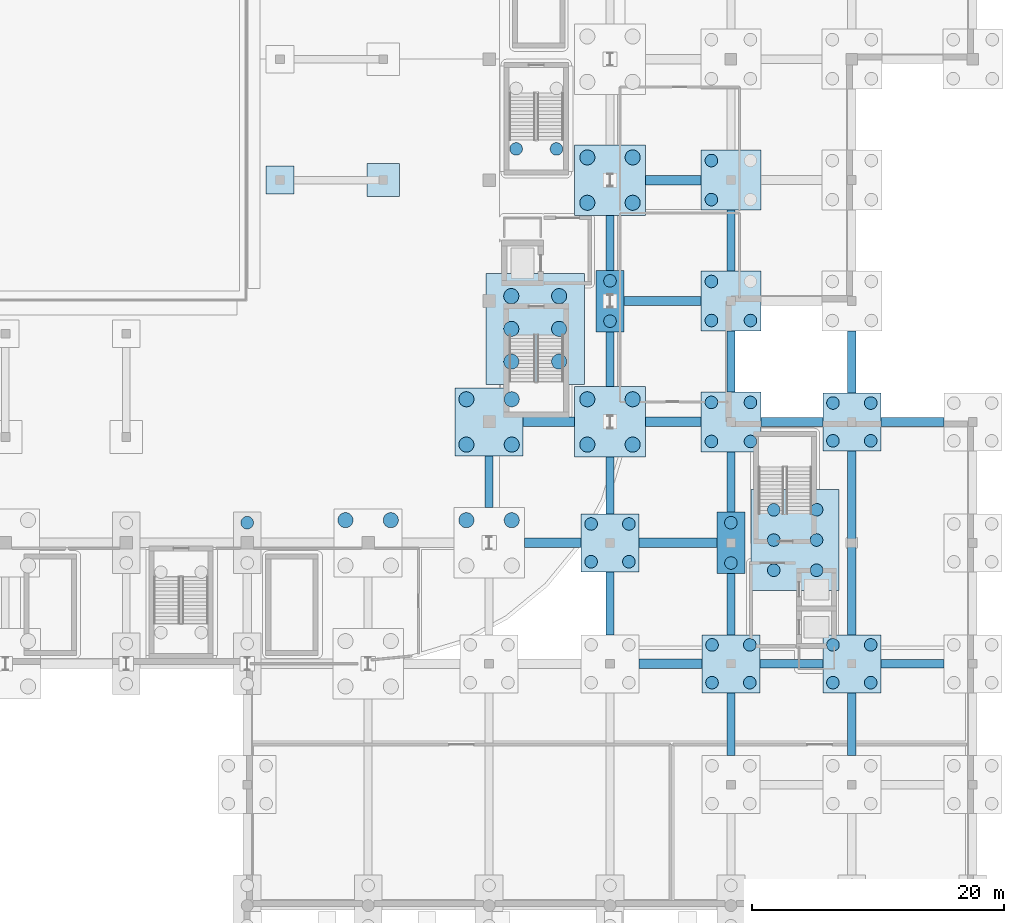
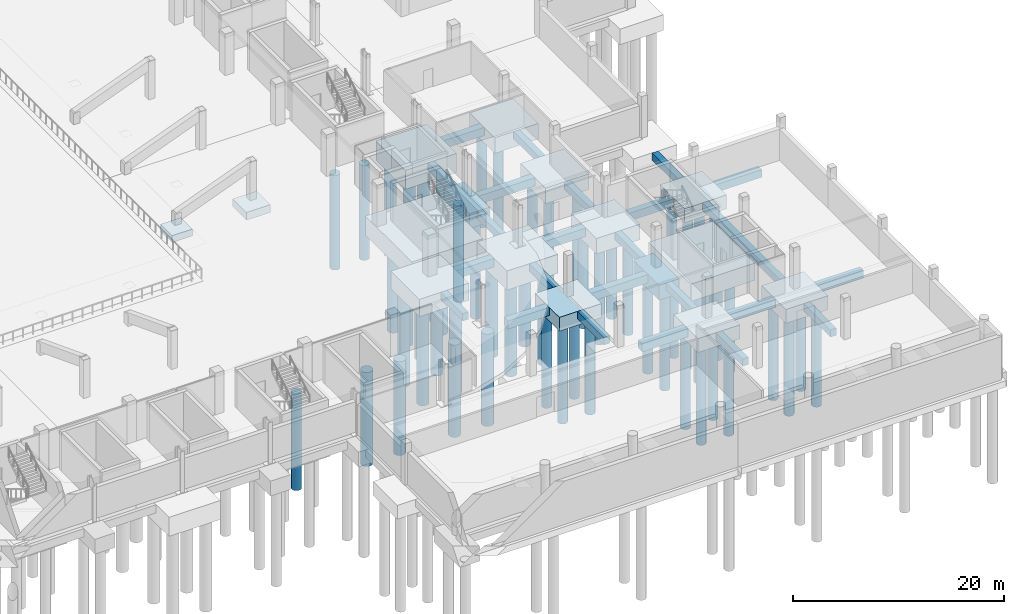
# One storey, part 7 of 67: 60 piles, 40 footings.
"""IFC4 building model written with IfcOpenShell, lengths in metres."""

from ifc_helpers import new_model, si_unit, direction, frame, origin, origin_2d, place, context, subcontext, project, spatial, polyline, rectangle, circle, outline, extrude, material, material_profile, profile_set, type_object, element, save


model = new_model("IFC4")

# Units and contexts
model_context = context("Model", 3, precision=1e-05, world=origin(), true_north=direction((0.0, 1.0)))
body_context = subcontext(model_context, "Body", "Model", "MODEL_VIEW")
ifc_project = project(units=[si_unit("LENGTHUNIT", "METRE"), si_unit("AREAUNIT", "SQUARE_METRE"), si_unit("VOLUMEUNIT", "CUBIC_METRE"), si_unit("PLANEANGLEUNIT", "RADIAN"), si_unit("MASSUNIT", "GRAM", prefix="KILO")], contexts=[model_context])

# Site, building, storey
site_placement = place(None, origin())
site = spatial("IfcSite", under=ifc_project, at=site_placement, CompositionType="ELEMENT")
building_placement = place(site_placement, origin())
building = spatial("IfcBuilding", under=site, at=building_placement, Name="Caelomonte Colonnade Arena", CompositionType="ELEMENT")
storey_placement = place(building_placement, frame((0.0, 0.0, -4.800048828125)))
storey = spatial("IfcBuildingStorey", under=building, at=storey_placement, Name="B1", CompositionType="ELEMENT", Elevation=-4.800048828125)

# Footings
ifc_material = material(Name="Concrete C40/50", Category="concrete")
footing_type_1 = type_object("IfcFootingType", Name="STR-FB-GB01", PredefinedType="FOOTING_BEAM", material=ifc_material)
footing_1_placement = place(storey_placement, frame((0.0, 0.0, -1.39990234375)))
element("IfcFooting", 1, at=footing_1_placement, inside=storey, type_object=footing_type_1, Name="Ground tie beam X (163.2..172.8, Y=19.2)", PredefinedType="FOOTING_BEAM", context=body_context, shape_type="SweptSolid", body=[
    extrude(outline(polyline([(165.5, 18.824951171875), (170.5, 18.824951171875), (170.5, 19.574951171875), (165.5, 19.574951171875), (165.5, 18.824951171875)])), origin(), (0.0, 0.0, 1.0), 0.949951171875),
])
footing_2_placement = place(storey_placement, frame((0.0, 0.0, -1.39990234375)))
element("IfcFooting", 2, at=footing_2_placement, inside=storey, type_object=footing_type_1, Name="Ground tie beam X (153.6..163.2, Y=28.8)", PredefinedType="FOOTING_BEAM", context=body_context, shape_type="SweptSolid", body=[
    extrude(outline(polyline([(156.39990234375, 28.425048828125), (160.89990234375, 28.425048828125), (160.89990234375, 29.175048828125), (156.39990234375, 29.175048828125), (156.39990234375, 28.425048828125)])), origin(), (0.0, 0.0, 1.0), 0.949951171875),
])
footing_3_placement = place(storey_placement, frame((0.0, 0.0, -1.39990234375)))
element("IfcFooting", 3, at=footing_3_placement, inside=storey, type_object=footing_type_1, Name="Ground tie beam X (163.2..172.8, Y=28.8)", PredefinedType="FOOTING_BEAM", context=body_context, shape_type="SweptSolid", body=[
    extrude(outline(polyline([(165.5, 28.425048828125), (171.699951171875, 28.425048828125), (171.699951171875, 29.175048828125), (165.5, 29.175048828125), (165.5, 28.425048828125)])), origin(), (0.0, 0.0, 1.0), 0.949951171875),
])
footing_4_placement = place(storey_placement, frame((0.0, 0.0, -1.39990234375)))
element("IfcFooting", 4, at=footing_4_placement, inside=storey, type_object=footing_type_1, Name="Ground tie beam X (153.6..163.2, Y=38.4)", PredefinedType="FOOTING_BEAM", context=body_context, shape_type="SweptSolid", body=[
    extrude(outline(polyline([(156.300048828125, 38.02490234375), (160.39990234375, 38.02490234375), (160.39990234375, 38.77490234375), (156.300048828125, 38.77490234375), (156.300048828125, 38.02490234375)])), origin(), (0.0, 0.0, 1.0), 0.949951171875),
])
footing_5_placement = place(storey_placement, frame((0.0, 0.0, -1.39990234375)))
element("IfcFooting", 5, at=footing_5_placement, inside=storey, type_object=footing_type_1, Name="Ground tie beam X (163.2..172.8, Y=38.4)", PredefinedType="FOOTING_BEAM", context=body_context, shape_type="SweptSolid", body=[
    extrude(outline(polyline([(166.0, 38.02490234375), (170.419921875, 38.02490234375), (170.419921875, 38.77490234375), (166.0, 38.77490234375), (166.0, 38.02490234375)])), origin(), (0.0, 0.0, 1.0), 0.949951171875),
])
footing_6_placement = place(storey_placement, frame((0.0, 0.0, -1.39990234375)))
element("IfcFooting", 6, at=footing_6_placement, inside=storey, type_object=footing_type_1, Name="Ground tie beam X (163.2..172.8, Y=48.0)", PredefinedType="FOOTING_BEAM", context=body_context, shape_type="SweptSolid", body=[
    extrude(outline(polyline([(164.300048828125, 47.625), (170.419921875, 47.625), (170.419921875, 48.375), (164.300048828125, 48.375), (164.300048828125, 47.625)])), origin(), (0.0, 0.0, 1.0), 0.949951171875),
])
footing_7_placement = place(storey_placement, frame((0.0, 0.0, -1.39990234375)))
element("IfcFooting", 7, at=footing_7_placement, inside=storey, type_object=footing_type_1, Name="Ground tie beam X (163.2..172.8, Y=57.6)", PredefinedType="FOOTING_BEAM", context=body_context, shape_type="SweptSolid", body=[
    extrude(outline(polyline([(166.0, 57.22509765625), (170.419921875, 57.22509765625), (170.419921875, 57.97509765625), (166.0, 57.97509765625), (166.0, 57.22509765625)])), origin(), (0.0, 0.0, 1.0), 0.949951171875),
])
footing_type_2 = type_object("IfcFootingType", Name="STR-FB-GB02", PredefinedType="FOOTING_BEAM", material=ifc_material)
footing_8_placement = place(storey_placement, frame((0.0, 0.0, -1.349853515625)))
element("IfcFooting", 8, at=footing_8_placement, inside=storey, type_object=footing_type_2, Name="Ground tie beam X (172.8..182.4, Y=19.2)", PredefinedType="FOOTING_BEAM", context=body_context, shape_type="SweptSolid", body=[
    extrude(outline(polyline([(175.10009765625, 18.85009765625), (180.10009765625, 18.85009765625), (180.10009765625, 19.550048828125), (175.10009765625, 19.550048828125), (175.10009765625, 18.85009765625)])), origin(), (0.0, 0.0, 1.0), 0.89990234375),
])
footing_9_placement = place(storey_placement, frame((0.0, 0.0, -1.349853515625)))
element("IfcFooting", 9, at=footing_9_placement, inside=storey, type_object=footing_type_2, Name="Ground tie beam X (182.4..192.0, Y=19.2)", PredefinedType="FOOTING_BEAM", context=body_context, shape_type="SweptSolid", body=[
    extrude(outline(polyline([(184.699951171875, 18.85009765625), (189.699951171875, 18.85009765625), (189.699951171875, 19.550048828125), (184.699951171875, 19.550048828125), (184.699951171875, 18.85009765625)])), origin(), (0.0, 0.0, 1.0), 0.89990234375),
])
footing_10_placement = place(storey_placement, frame((0.0, 0.0, -1.349853515625)))
element("IfcFooting", 10, at=footing_10_placement, inside=storey, type_object=footing_type_2, Name="Ground tie beam X (172.8..182.4, Y=38.4)", PredefinedType="FOOTING_BEAM", context=body_context, shape_type="SweptSolid", body=[
    extrude(outline(polyline([(175.179931640625, 38.050048828125), (180.10009765625, 38.050048828125), (180.10009765625, 38.75), (175.179931640625, 38.75), (175.179931640625, 38.050048828125)])), origin(), (0.0, 0.0, 1.0), 0.89990234375),
])
footing_11_placement = place(storey_placement, frame((0.0, 0.0, -1.349853515625)))
element("IfcFooting", 11, at=footing_11_placement, inside=storey, type_object=footing_type_2, Name="Ground tie beam X (182.4..192.0, Y=38.4)", PredefinedType="FOOTING_BEAM", context=body_context, shape_type="SweptSolid", body=[
    extrude(outline(polyline([(184.699951171875, 38.050048828125), (189.699951171875, 38.050048828125), (189.699951171875, 38.75), (184.699951171875, 38.75), (184.699951171875, 38.050048828125)])), origin(), (0.0, 0.0, 1.0), 0.89990234375),
])
footing_type_3 = type_object("IfcFootingType", Name="STR-FB-GB03", PredefinedType="FOOTING_BEAM", material=ifc_material)
footing_12_placement = place(storey_placement, frame((0.0, 0.0, -1.300048828125)))
element("IfcFooting", 12, at=footing_12_placement, inside=storey, type_object=footing_type_3, Name="Ground tie beam Y (X=153.6, 28.8..38.4)", PredefinedType="FOOTING_BEAM", context=body_context, shape_type="SweptSolid", body=[
    extrude(outline(polyline([(153.27490234375, 31.60009765625), (153.925048828125, 31.60009765625), (153.925048828125, 35.699951171875), (153.27490234375, 35.699951171875), (153.27490234375, 31.60009765625)])), origin(), (0.0, 0.0, 1.0), 0.85009765625),
])
footing_13_placement = place(storey_placement, frame((0.0, 0.0, -1.300048828125)))
element("IfcFooting", 13, at=footing_13_placement, inside=storey, type_object=footing_type_3, Name="Ground tie beam Y (X=163.2, 19.2..28.8)", PredefinedType="FOOTING_BEAM", context=body_context, shape_type="SweptSolid", body=[
    extrude(outline(polyline([(162.875, 21.5), (163.52490234375, 21.5), (163.52490234375, 26.5), (162.875, 26.5), (162.875, 21.5)])), origin(), (0.0, 0.0, 1.0), 0.85009765625),
])
footing_14_placement = place(storey_placement, frame((0.0, 0.0, -1.300048828125)))
element("IfcFooting", 14, at=footing_14_placement, inside=storey, type_object=footing_type_3, Name="Ground tie beam Y (X=163.2, 28.8..38.4)", PredefinedType="FOOTING_BEAM", context=body_context, shape_type="SweptSolid", body=[
    extrude(outline(polyline([(162.875, 31.10009765625), (163.52490234375, 31.10009765625), (163.52490234375, 35.60009765625), (162.875, 35.60009765625), (162.875, 31.10009765625)])), origin(), (0.0, 0.0, 1.0), 0.85009765625),
])
footing_15_placement = place(storey_placement, frame((0.0, 0.0, -1.300048828125)))
element("IfcFooting", 15, at=footing_15_placement, inside=storey, type_object=footing_type_3, Name="Ground tie beam Y (X=163.2, 38.4..48.0)", PredefinedType="FOOTING_BEAM", context=body_context, shape_type="SweptSolid", body=[
    extrude(outline(polyline([(162.875, 41.199951171875), (163.52490234375, 41.199951171875), (163.52490234375, 45.56005859375), (162.875, 45.56005859375), (162.875, 41.199951171875)])), origin(), (0.0, 0.0, 1.0), 0.85009765625),
])
footing_16_placement = place(storey_placement, frame((0.0, 0.0, -1.300048828125)))
element("IfcFooting", 16, at=footing_16_placement, inside=storey, type_object=footing_type_3, Name="Ground tie beam Y (X=163.2, 48.0..57.6)", PredefinedType="FOOTING_BEAM", context=body_context, shape_type="SweptSolid", body=[
    extrude(outline(polyline([(162.875, 50.43994140625), (163.52490234375, 50.43994140625), (163.52490234375, 54.800048828125), (162.875, 54.800048828125), (162.875, 50.43994140625)])), origin(), (0.0, 0.0, 1.0), 0.85009765625),
])
footing_17_placement = place(storey_placement, frame((0.0, 0.0, -1.300048828125)))
element("IfcFooting", 17, at=footing_17_placement, inside=storey, type_object=footing_type_3, Name="Ground tie beam Y (X=172.8, 9.6..19.2)", PredefinedType="FOOTING_BEAM", context=body_context, shape_type="SweptSolid", body=[
    extrude(outline(polyline([(172.47509765625, 11.89990234375), (173.125, 11.89990234375), (173.125, 16.89990234375), (172.47509765625, 16.89990234375), (172.47509765625, 11.89990234375)])), origin(), (0.0, 0.0, 1.0), 0.85009765625),
])
footing_18_placement = place(storey_placement, frame((0.0, 0.0, -1.300048828125)))
element("IfcFooting", 18, at=footing_18_placement, inside=storey, type_object=footing_type_3, Name="Ground tie beam Y (X=172.8, 19.2..28.8)", PredefinedType="FOOTING_BEAM", context=body_context, shape_type="SweptSolid", body=[
    extrude(outline(polyline([(172.47509765625, 21.5), (173.125, 21.5), (173.125, 26.360107421875), (172.47509765625, 26.360107421875), (172.47509765625, 21.5)])), origin(), (0.0, 0.0, 1.0), 0.85009765625),
])
footing_19_placement = place(storey_placement, frame((0.0, 0.0, -1.300048828125)))
element("IfcFooting", 19, at=footing_19_placement, inside=storey, type_object=footing_type_3, Name="Ground tie beam Y (X=172.8, 28.8..38.4)", PredefinedType="FOOTING_BEAM", context=body_context, shape_type="SweptSolid", body=[
    extrude(outline(polyline([(172.47509765625, 31.239990234375), (173.125, 31.239990234375), (173.125, 36.02001953125), (172.47509765625, 36.02001953125), (172.47509765625, 31.239990234375)])), origin(), (0.0, 0.0, 1.0), 0.85009765625),
])
footing_20_placement = place(storey_placement, frame((0.0, 0.0, -1.300048828125)))
element("IfcFooting", 20, at=footing_20_placement, inside=storey, type_object=footing_type_3, Name="Ground tie beam Y (X=172.8, 38.4..48.0)", PredefinedType="FOOTING_BEAM", context=body_context, shape_type="SweptSolid", body=[
    extrude(outline(polyline([(172.47509765625, 40.780029296875), (173.125, 40.780029296875), (173.125, 45.6201171875), (172.47509765625, 45.6201171875), (172.47509765625, 40.780029296875)])), origin(), (0.0, 0.0, 1.0), 0.85009765625),
])
footing_21_placement = place(storey_placement, frame((0.0, 0.0, -1.300048828125)))
element("IfcFooting", 21, at=footing_21_placement, inside=storey, type_object=footing_type_3, Name="Ground tie beam Y (X=172.8, 48.0..57.6)", PredefinedType="FOOTING_BEAM", context=body_context, shape_type="SweptSolid", body=[
    extrude(outline(polyline([(172.47509765625, 50.3798828125), (173.125, 50.3798828125), (173.125, 55.219970703125), (172.47509765625, 55.219970703125), (172.47509765625, 50.3798828125)])), origin(), (0.0, 0.0, 1.0), 0.85009765625),
])
footing_22_placement = place(storey_placement, frame((0.0, 0.0, -1.300048828125)))
element("IfcFooting", 22, at=footing_22_placement, inside=storey, type_object=footing_type_3, Name="Ground tie beam Y (X=182.4, 9.6..19.2)", PredefinedType="FOOTING_BEAM", context=body_context, shape_type="SweptSolid", body=[
    extrude(outline(polyline([(182.074951171875, 11.89990234375), (182.72509765625, 11.89990234375), (182.72509765625, 16.89990234375), (182.074951171875, 16.89990234375), (182.074951171875, 11.89990234375)])), origin(), (0.0, 0.0, 1.0), 0.85009765625),
])
footing_23_placement = place(storey_placement, frame((0.0, 0.0, -1.300048828125)))
element("IfcFooting", 23, at=footing_23_placement, inside=storey, type_object=footing_type_3, Name="Ground tie beam Y (X=182.4, 19.2..38.4)", PredefinedType="FOOTING_BEAM", context=body_context, shape_type="SweptSolid", body=[
    extrude(outline(polyline([(182.074951171875, 21.5), (182.72509765625, 21.5), (182.72509765625, 36.10009765625), (182.074951171875, 36.10009765625), (182.074951171875, 21.5)])), origin(), (0.0, 0.0, 1.0), 0.85009765625),
])
footing_24_placement = place(storey_placement, frame((0.0, 0.0, -1.300048828125)))
element("IfcFooting", 24, at=footing_24_placement, inside=storey, type_object=footing_type_3, Name="Ground tie beam Y (X=182.4, 38.4..48.0)", PredefinedType="FOOTING_BEAM", context=body_context, shape_type="SweptSolid", body=[
    extrude(outline(polyline([(182.074951171875, 40.699951171875), (182.72509765625, 40.699951171875), (182.72509765625, 45.6201171875), (182.074951171875, 45.6201171875), (182.074951171875, 40.699951171875)])), origin(), (0.0, 0.0, 1.0), 0.85009765625),
])
footing_type_4 = type_object("IfcFootingType", Name="STR-FC-PC01", PredefinedType="PILE_CAP", material=ifc_material)
for number, where, z_axis, x_axis, name in (
    (25, (163.199951171875, 38.39990234375, -2.64990234375), (0.0, 0.0, 1.0), (1.0, 0.0, 0.0), "Pile cap FC-1632-0384"),
    (26, (163.199951171875, 57.60009765625, -2.64990234375), (0.0, 0.0, 1.0), (1.0, 0.0, 0.0), "Pile cap FC-1632-0576"),
):
    element("IfcFooting", number, at=place(storey_placement, frame(where, z_axis=z_axis, x_axis=x_axis)), inside=storey, type_object=footing_type_4, Name=name, PredefinedType="PILE_CAP", context=body_context, shape_type="SweptSolid", body=[
        extrude(rectangle(XDim=5.60009765625, YDim=5.60009765625, at=origin_2d()), origin(), (0.0, 0.0, 1.0), 2.199951171875),
    ])
footing_type_5 = type_object("IfcFootingType", Name="STR-FC-PC02", PredefinedType="PILE_CAP", material=ifc_material)
footing_25_placement = place(storey_placement, frame((153.60009765625, 38.39990234375, -2.449951171875), z_axis=(0.0, 0.0, 1.0), x_axis=(1.0, 0.0, 0.0)))
element("IfcFooting", 27, at=footing_25_placement, inside=storey, type_object=footing_type_5, Name="Pile cap FC-1536-0384", PredefinedType="PILE_CAP", context=body_context, shape_type="SweptSolid", body=[
    extrude(rectangle(XDim=5.39990234375, YDim=5.39990234375, at=origin_2d()), origin(), (0.0, 0.0, 1.0), 2.0),
])
footing_type_6 = type_object("IfcFootingType", Name="STR-FC-PC04", PredefinedType="PILE_CAP", material=ifc_material)
for number, where, z_axis, x_axis, name in (
    (28, (172.800048828125, 38.39990234375, -2.25), (0.0, 0.0, 1.0), (1.0, 0.0, 0.0), "Pile cap FC-1728-0384"),
    (29, (172.800048828125, 48.0, -2.25), (0.0, 0.0, 1.0), (1.0, 0.0, 0.0), "Pile cap FC-1728-0480"),
    (30, (172.800048828125, 57.60009765625, -2.25), (0.0, 0.0, 1.0), (1.0, 0.0, 0.0), "Pile cap FC-1728-0576"),
):
    element("IfcFooting", number, at=place(storey_placement, frame(where, z_axis=z_axis, x_axis=x_axis)), inside=storey, type_object=footing_type_6, Name=name, PredefinedType="PILE_CAP", context=body_context, shape_type="SweptSolid", body=[
        extrude(rectangle(XDim=4.760009765625, YDim=4.760009765625, at=origin_2d()), origin(), (0.0, 0.0, 1.0), 1.800048828125),
    ])
footing_type_7 = type_object("IfcFootingType", Name="STR-FC-PC07", PredefinedType="PILE_CAP", material=ifc_material)
for number, where, z_axis, x_axis, name in (
    (31, (163.199951171875, 48.0, -2.14990234375), (0.0, 0.0, 1.0), (1.0, 0.0, 0.0), "Pile cap FC-1632-0480"),
    (32, (172.800048828125, 28.800048828125, -2.14990234375), (0.0, 0.0, 1.0), (1.0, 0.0, 0.0), "Pile cap FC-1728-0288"),
):
    element("IfcFooting", number, at=place(storey_placement, frame(where, z_axis=z_axis, x_axis=x_axis)), inside=storey, type_object=footing_type_7, Name=name, PredefinedType="PILE_CAP", context=body_context, shape_type="SweptSolid", body=[
        extrude(rectangle(XDim=2.199951171875, YDim=4.8798828125, at=origin_2d()), origin(), (0.0, 0.0, 1.0), 1.699951171875),
    ])
footing_type_8 = type_object("IfcFootingType", Name="STR-FC-PC09", PredefinedType="PILE_CAP", material=ifc_material)
for number, where, z_axis, x_axis, name in (
    (33, (163.199951171875, 28.800048828125, -2.050048828125), (0.0, 0.0, 1.0), (1.0, 0.0, 0.0), "Pile cap FC-1632-0288"),
    (34, (172.800048828125, 19.199951171875, -2.050048828125), (0.0, 0.0, 1.0), (1.0, 0.0, 0.0), "Pile cap FC-1728-0192"),
    (35, (182.39990234375, 19.199951171875, -2.050048828125), (0.0, 0.0, 1.0), (1.0, 0.0, 0.0), "Pile cap FC-1824-0192"),
    (36, (182.39990234375, 38.39990234375, -2.050048828125), (0.0, 0.0, 1.0), (1.0, 0.0, 0.0), "Pile cap FC-1824-0384"),
):
    element("IfcFooting", number, at=place(storey_placement, frame(where, z_axis=z_axis, x_axis=x_axis)), inside=storey, type_object=footing_type_8, Name=name, PredefinedType="PILE_CAP", context=body_context, shape_type="SweptSolid", body=[
        extrude(rectangle(XDim=4.60009765625, YDim=4.60009765625, at=origin_2d()), origin(), (0.0, 0.0, 1.0), 1.60009765625),
    ])
footing_type_9 = type_object("IfcFootingType", Name="STR-FC-PC10", PredefinedType="PILE_CAP", material=ifc_material)
footing_26_placement = place(storey_placement, frame((157.262451171875, 45.78759765625, -2.64990234375), z_axis=(0.0, 0.0, 1.0), x_axis=(1.0, 0.0, 0.0)))
element("IfcFooting", 37, at=footing_26_placement, inside=storey, type_object=footing_type_9, Name="Core C2 pile cap", PredefinedType="PILE_CAP", context=body_context, shape_type="SweptSolid", body=[
    extrude(rectangle(XDim=7.800048828125, YDim=8.800048828125, at=origin_2d()), origin(), (0.0, 0.0, 1.0), 2.199951171875),
])
footing_type_10 = type_object("IfcFootingType", Name="STR-FC-PC11", PredefinedType="PILE_CAP", material=ifc_material)
footing_27_placement = place(storey_placement, frame((177.89990234375, 29.02490234375, -2.449951171875), z_axis=(0.0, 0.0, 1.0), x_axis=(1.0, 0.0, 0.0)))
element("IfcFooting", 38, at=footing_27_placement, inside=storey, type_object=footing_type_10, Name="Core C5 pile cap", PredefinedType="PILE_CAP", context=body_context, shape_type="SweptSolid", body=[
    extrude(rectangle(XDim=7.0, YDim=8.0, at=origin_2d()), origin(), (0.0, 0.0, 1.0), 2.0),
])
footing_type_11 = type_object("IfcFootingType", Name="STR-FD-PF01", PredefinedType="PAD_FOOTING", material=ifc_material)
footing_28_placement = place(storey_placement, frame((145.199951171875, 57.60009765625, -1.349853515625), z_axis=(0.0, 0.0, 1.0), x_axis=(1.0, 0.0, 0.0)))
element("IfcFooting", 39, at=footing_28_placement, inside=storey, type_object=footing_type_11, Name="Raker mid pier footing E-57", PredefinedType="PAD_FOOTING", context=body_context, shape_type="SweptSolid", body=[
    extrude(rectangle(XDim=2.60009765625, YDim=2.60009765625, at=origin_2d()), origin(), (0.0, 0.0, 1.0), 0.89990234375),
])
footing_type_12 = type_object("IfcFootingType", Name="STR-FD-PF02", PredefinedType="PAD_FOOTING", material=ifc_material)
footing_29_placement = place(storey_placement, frame((137.0, 57.60009765625, -1.25), z_axis=(0.0, 0.0, 1.0), x_axis=(1.0, 0.0, 0.0)))
element("IfcFooting", 40, at=footing_29_placement, inside=storey, type_object=footing_type_12, Name="Raker inner pier footing E-57", PredefinedType="PAD_FOOTING", context=body_context, shape_type="SweptSolid", body=[
    extrude(rectangle(XDim=2.199951171875, YDim=2.199951171875, at=origin_2d()), origin(), (0.0, 0.0, 1.0), 0.800048828125),
])

# Piles
ifc_material_profile_1 = material_profile(ifc_material, circle(Radius=0.5, at=origin_2d()), Name="PILE-D1000")
ifc_profile_set_1 = profile_set([ifc_material_profile_1], Name="Concrete C40/50")
pile_type_1 = type_object("IfcPileType", Name="STR-PL-D1000", PredefinedType="BORED", material=ifc_profile_set_1)
for number, where, z_axis, x_axis, name in (
    (41, (176.199951171875, 26.625, -2.349853515625), (0.0, 0.0, -1.0), (1.0, 0.0, 0.0), "Core C5 rock-socketed pile 1"),
    (42, (176.199951171875, 29.02490234375, -2.349853515625), (0.0, 0.0, -1.0), (1.0, 0.0, 0.0), "Core C5 rock-socketed pile 2"),
    (43, (176.199951171875, 31.425048828125, -2.349853515625), (0.0, 0.0, -1.0), (1.0, 0.0, 0.0), "Core C5 rock-socketed pile 3"),
    (44, (179.60009765625, 26.625, -2.349853515625), (0.0, 0.0, -1.0), (1.0, 0.0, 0.0), "Core C5 rock-socketed pile 4"),
    (45, (179.60009765625, 29.02490234375, -2.349853515625), (0.0, 0.0, -1.0), (1.0, 0.0, 0.0), "Core C5 rock-socketed pile 5"),
    (46, (179.60009765625, 31.425048828125, -2.349853515625), (0.0, 0.0, -1.0), (1.0, 0.0, 0.0), "Core C5 rock-socketed pile 6"),
):
    element("IfcPile", number, at=place(storey_placement, frame(where, z_axis=z_axis, x_axis=x_axis)), inside=storey, type_object=pile_type_1, Name=name, PredefinedType="BORED", context=body_context, shape_type="SweptSolid", body=[
        extrude(circle(Radius=0.5, at=origin_2d()), origin(), (0.0, 0.0, 1.0), 10.85009765625),
    ])
for number, where, z_axis, x_axis, name in (
    (47, (155.75, 60.074951171875, -2.25), (0.0, 0.0, -1.0), (1.0, 0.0, 0.0), "Stair ST-10 rock-socketed pile 1"),
    (48, (158.949951171875, 60.074951171875, -2.25), (0.0, 0.0, -1.0), (1.0, 0.0, 0.0), "Stair ST-10 rock-socketed pile 3"),
):
    element("IfcPile", number, at=place(storey_placement, frame(where, z_axis=z_axis, x_axis=x_axis)), inside=storey, type_object=pile_type_1, Name=name, PredefinedType="BORED", context=body_context, shape_type="SweptSolid", body=[
        extrude(circle(Radius=0.5, at=origin_2d()), origin(), (0.0, 0.0, 1.0), 10.949951171875),
    ])
pile_placement = place(storey_placement, frame((134.39990234375, 30.39990234375, -2.050048828125), z_axis=(0.0, 0.0, -1.0), x_axis=(1.0, 0.0, 0.0)))
element("IfcPile", 49, at=pile_placement, inside=storey, type_object=pile_type_1, Name="Rock-socketed bored pile FC-1344-0288-2", PredefinedType="BORED", context=body_context, shape_type="SweptSolid", body=[
    extrude(circle(Radius=0.5, at=origin_2d()), origin(), (0.0, 0.0, 1.0), 11.14990234375),
])
for number, where, z_axis, x_axis, name in (
    (50, (161.699951171875, 27.300048828125, -1.949951171875), (0.0, 0.0, -1.0), (1.0, 0.0, 0.0), "Rock-socketed bored pile FC-1632-0288-1"),
    (51, (164.699951171875, 27.300048828125, -1.949951171875), (0.0, 0.0, -1.0), (1.0, 0.0, 0.0), "Rock-socketed bored pile FC-1632-0288-2"),
    (52, (161.699951171875, 30.300048828125, -1.949951171875), (0.0, 0.0, -1.0), (1.0, 0.0, 0.0), "Rock-socketed bored pile FC-1632-0288-3"),
    (53, (164.699951171875, 30.300048828125, -1.949951171875), (0.0, 0.0, -1.0), (1.0, 0.0, 0.0), "Rock-socketed bored pile FC-1632-0288-4"),
):
    element("IfcPile", number, at=place(storey_placement, frame(where, z_axis=z_axis, x_axis=x_axis)), inside=storey, type_object=pile_type_1, Name=name, PredefinedType="BORED", context=body_context, shape_type="SweptSolid", body=[
        extrude(circle(Radius=0.5, at=origin_2d()), origin(), (0.0, 0.0, 1.0), 11.25),
    ])
for number, where, z_axis, x_axis, name in (
    (54, (163.199951171875, 46.39990234375, -2.050048828125), (0.0, 0.0, -1.0), (1.0, 0.0, 0.0), "Rock-socketed bored pile FC-1632-0480-1"),
    (55, (163.199951171875, 49.60009765625, -2.050048828125), (0.0, 0.0, -1.0), (1.0, 0.0, 0.0), "Rock-socketed bored pile FC-1632-0480-2"),
):
    element("IfcPile", number, at=place(storey_placement, frame(where, z_axis=z_axis, x_axis=x_axis)), inside=storey, type_object=pile_type_1, Name=name, PredefinedType="BORED", context=body_context, shape_type="SweptSolid", body=[
        extrude(circle(Radius=0.5, at=origin_2d()), origin(), (0.0, 0.0, 1.0), 11.14990234375),
    ])
for number, where, z_axis, x_axis, name in (
    (56, (171.300048828125, 17.699951171875, -1.949951171875), (0.0, 0.0, -1.0), (1.0, 0.0, 0.0), "Rock-socketed bored pile FC-1728-0192-1"),
    (57, (174.300048828125, 17.699951171875, -1.949951171875), (0.0, 0.0, -1.0), (1.0, 0.0, 0.0), "Rock-socketed bored pile FC-1728-0192-2"),
    (58, (171.300048828125, 20.699951171875, -1.949951171875), (0.0, 0.0, -1.0), (1.0, 0.0, 0.0), "Rock-socketed bored pile FC-1728-0192-3"),
    (59, (174.300048828125, 20.699951171875, -1.949951171875), (0.0, 0.0, -1.0), (1.0, 0.0, 0.0), "Rock-socketed bored pile FC-1728-0192-4"),
):
    element("IfcPile", number, at=place(storey_placement, frame(where, z_axis=z_axis, x_axis=x_axis)), inside=storey, type_object=pile_type_1, Name=name, PredefinedType="BORED", context=body_context, shape_type="SweptSolid", body=[
        extrude(circle(Radius=0.5, at=origin_2d()), origin(), (0.0, 0.0, 1.0), 11.25),
    ])
for number, where, z_axis, x_axis, name in (
    (60, (172.800048828125, 27.199951171875, -2.050048828125), (0.0, 0.0, -1.0), (1.0, 0.0, 0.0), "Rock-socketed bored pile FC-1728-0288-1"),
    (61, (172.800048828125, 30.39990234375, -2.050048828125), (0.0, 0.0, -1.0), (1.0, 0.0, 0.0), "Rock-socketed bored pile FC-1728-0288-2"),
):
    element("IfcPile", number, at=place(storey_placement, frame(where, z_axis=z_axis, x_axis=x_axis)), inside=storey, type_object=pile_type_1, Name=name, PredefinedType="BORED", context=body_context, shape_type="SweptSolid", body=[
        extrude(circle(Radius=0.5, at=origin_2d()), origin(), (0.0, 0.0, 1.0), 11.14990234375),
    ])
for number, where, z_axis, x_axis, name in (
    (62, (171.25, 36.85009765625, -2.14990234375), (0.0, 0.0, -1.0), (1.0, 0.0, 0.0), "Rock-socketed bored pile FC-1728-0384-1"),
    (63, (174.35009765625, 36.85009765625, -2.14990234375), (0.0, 0.0, -1.0), (1.0, 0.0, 0.0), "Rock-socketed bored pile FC-1728-0384-2"),
    (64, (171.25, 39.949951171875, -2.14990234375), (0.0, 0.0, -1.0), (1.0, 0.0, 0.0), "Rock-socketed bored pile FC-1728-0384-3"),
    (65, (174.35009765625, 39.949951171875, -2.14990234375), (0.0, 0.0, -1.0), (1.0, 0.0, 0.0), "Rock-socketed bored pile FC-1728-0384-4"),
    (66, (171.25, 46.449951171875, -2.14990234375), (0.0, 0.0, -1.0), (1.0, 0.0, 0.0), "Rock-socketed bored pile FC-1728-0480-1"),
    (67, (174.35009765625, 46.449951171875, -2.14990234375), (0.0, 0.0, -1.0), (1.0, 0.0, 0.0), "Rock-socketed bored pile FC-1728-0480-2"),
    (68, (171.25, 49.550048828125, -2.14990234375), (0.0, 0.0, -1.0), (1.0, 0.0, 0.0), "Rock-socketed bored pile FC-1728-0480-3"),
    (69, (171.25, 56.050048828125, -2.14990234375), (0.0, 0.0, -1.0), (1.0, 0.0, 0.0), "Rock-socketed bored pile FC-1728-0576-1"),
    (70, (171.25, 59.14990234375, -2.14990234375), (0.0, 0.0, -1.0), (1.0, 0.0, 0.0), "Rock-socketed bored pile FC-1728-0576-3"),
):
    element("IfcPile", number, at=place(storey_placement, frame(where, z_axis=z_axis, x_axis=x_axis)), inside=storey, type_object=pile_type_1, Name=name, PredefinedType="BORED", context=body_context, shape_type="SweptSolid", body=[
        extrude(circle(Radius=0.5, at=origin_2d()), origin(), (0.0, 0.0, 1.0), 11.050048828125),
    ])
for number, where, z_axis, x_axis, name in (
    (71, (180.89990234375, 17.699951171875, -1.949951171875), (0.0, 0.0, -1.0), (1.0, 0.0, 0.0), "Rock-socketed bored pile FC-1824-0192-1"),
    (72, (183.89990234375, 17.699951171875, -1.949951171875), (0.0, 0.0, -1.0), (1.0, 0.0, 0.0), "Rock-socketed bored pile FC-1824-0192-2"),
    (73, (180.89990234375, 20.699951171875, -1.949951171875), (0.0, 0.0, -1.0), (1.0, 0.0, 0.0), "Rock-socketed bored pile FC-1824-0192-3"),
    (74, (183.89990234375, 20.699951171875, -1.949951171875), (0.0, 0.0, -1.0), (1.0, 0.0, 0.0), "Rock-socketed bored pile FC-1824-0192-4"),
    (75, (180.89990234375, 36.89990234375, -1.949951171875), (0.0, 0.0, -1.0), (1.0, 0.0, 0.0), "Rock-socketed bored pile FC-1824-0384-1"),
    (76, (183.89990234375, 36.89990234375, -1.949951171875), (0.0, 0.0, -1.0), (1.0, 0.0, 0.0), "Rock-socketed bored pile FC-1824-0384-2"),
    (77, (180.89990234375, 39.89990234375, -1.949951171875), (0.0, 0.0, -1.0), (1.0, 0.0, 0.0), "Rock-socketed bored pile FC-1824-0384-3"),
    (78, (183.89990234375, 39.89990234375, -1.949951171875), (0.0, 0.0, -1.0), (1.0, 0.0, 0.0), "Rock-socketed bored pile FC-1824-0384-4"),
):
    element("IfcPile", number, at=place(storey_placement, frame(where, z_axis=z_axis, x_axis=x_axis)), inside=storey, type_object=pile_type_1, Name=name, PredefinedType="BORED", context=body_context, shape_type="SweptSolid", body=[
        extrude(circle(Radius=0.5, at=origin_2d()), origin(), (0.0, 0.0, 1.0), 11.25),
    ])
ifc_material_profile_2 = material_profile(ifc_material, circle(Radius=0.60009765625, at=origin_2d()), Name="PILE-D1200")
ifc_profile_set_2 = profile_set([ifc_material_profile_2], Name="Concrete C40/50")
pile_type_2 = type_object("IfcPileType", Name="STR-PL-D1200", PredefinedType="BORED", material=ifc_profile_set_2)
for number, where, z_axis, x_axis, name in (
    (79, (155.362548828125, 43.1875, -2.550048828125), (0.0, 0.0, -1.0), (1.0, 0.0, 0.0), "Core C2 rock-socketed pile 1"),
    (80, (155.362548828125, 45.78759765625, -2.550048828125), (0.0, 0.0, -1.0), (1.0, 0.0, 0.0), "Core C2 rock-socketed pile 2"),
    (81, (155.362548828125, 48.387451171875, -2.550048828125), (0.0, 0.0, -1.0), (1.0, 0.0, 0.0), "Core C2 rock-socketed pile 3"),
    (82, (159.16259765625, 43.1875, -2.550048828125), (0.0, 0.0, -1.0), (1.0, 0.0, 0.0), "Core C2 rock-socketed pile 4"),
    (83, (159.16259765625, 45.78759765625, -2.550048828125), (0.0, 0.0, -1.0), (1.0, 0.0, 0.0), "Core C2 rock-socketed pile 5"),
    (84, (159.16259765625, 48.387451171875, -2.550048828125), (0.0, 0.0, -1.0), (1.0, 0.0, 0.0), "Core C2 rock-socketed pile 6"),
):
    element("IfcPile", number, at=place(storey_placement, frame(where, z_axis=z_axis, x_axis=x_axis)), inside=storey, type_object=pile_type_2, Name=name, PredefinedType="BORED", context=body_context, shape_type="SweptSolid", body=[
        extrude(circle(Radius=0.60009765625, at=origin_2d()), origin(), (0.0, 0.0, 1.0), 10.64990234375),
    ])
for number, where, z_axis, x_axis, name in (
    (85, (142.199951171875, 30.60009765625, -2.349853515625), (0.0, 0.0, -1.0), (1.0, 0.0, 0.0), "Rock-socketed bored pile FC-1440-0288-3"),
    (86, (145.800048828125, 30.60009765625, -2.349853515625), (0.0, 0.0, -1.0), (1.0, 0.0, 0.0), "Rock-socketed bored pile FC-1440-0288-4"),
):
    element("IfcPile", number, at=place(storey_placement, frame(where, z_axis=z_axis, x_axis=x_axis)), inside=storey, type_object=pile_type_2, Name=name, PredefinedType="BORED", context=body_context, shape_type="SweptSolid", body=[
        extrude(circle(Radius=0.60009765625, at=origin_2d()), origin(), (0.0, 0.0, 1.0), 10.85009765625),
    ])
for number, where, z_axis, x_axis, name in (
    (87, (151.800048828125, 30.60009765625, -2.550048828125), (0.0, 0.0, -1.0), (1.0, 0.0, 0.0), "Rock-socketed bored pile FC-1536-0288-3"),
    (88, (155.39990234375, 30.60009765625, -2.550048828125), (0.0, 0.0, -1.0), (1.0, 0.0, 0.0), "Rock-socketed bored pile FC-1536-0288-4"),
):
    element("IfcPile", number, at=place(storey_placement, frame(where, z_axis=z_axis, x_axis=x_axis)), inside=storey, type_object=pile_type_2, Name=name, PredefinedType="BORED", context=body_context, shape_type="SweptSolid", body=[
        extrude(circle(Radius=0.60009765625, at=origin_2d()), origin(), (0.0, 0.0, 1.0), 10.64990234375),
    ])
for number, where, z_axis, x_axis, name in (
    (89, (151.800048828125, 36.60009765625, -2.349853515625), (0.0, 0.0, -1.0), (1.0, 0.0, 0.0), "Rock-socketed bored pile FC-1536-0384-1"),
    (90, (155.39990234375, 36.60009765625, -2.349853515625), (0.0, 0.0, -1.0), (1.0, 0.0, 0.0), "Rock-socketed bored pile FC-1536-0384-2"),
    (91, (151.800048828125, 40.199951171875, -2.349853515625), (0.0, 0.0, -1.0), (1.0, 0.0, 0.0), "Rock-socketed bored pile FC-1536-0384-3"),
    (92, (155.39990234375, 40.199951171875, -2.349853515625), (0.0, 0.0, -1.0), (1.0, 0.0, 0.0), "Rock-socketed bored pile FC-1536-0384-4"),
):
    element("IfcPile", number, at=place(storey_placement, frame(where, z_axis=z_axis, x_axis=x_axis)), inside=storey, type_object=pile_type_2, Name=name, PredefinedType="BORED", context=body_context, shape_type="SweptSolid", body=[
        extrude(circle(Radius=0.60009765625, at=origin_2d()), origin(), (0.0, 0.0, 1.0), 10.85009765625),
    ])
for number, where, z_axis, x_axis, name in (
    (93, (161.39990234375, 36.60009765625, -2.550048828125), (0.0, 0.0, -1.0), (1.0, 0.0, 0.0), "Rock-socketed bored pile FC-1632-0384-1"),
    (94, (165.0, 36.60009765625, -2.550048828125), (0.0, 0.0, -1.0), (1.0, 0.0, 0.0), "Rock-socketed bored pile FC-1632-0384-2"),
    (95, (161.39990234375, 40.199951171875, -2.550048828125), (0.0, 0.0, -1.0), (1.0, 0.0, 0.0), "Rock-socketed bored pile FC-1632-0384-3"),
    (96, (165.0, 40.199951171875, -2.550048828125), (0.0, 0.0, -1.0), (1.0, 0.0, 0.0), "Rock-socketed bored pile FC-1632-0384-4"),
    (97, (161.39990234375, 55.800048828125, -2.550048828125), (0.0, 0.0, -1.0), (1.0, 0.0, 0.0), "Rock-socketed bored pile FC-1632-0576-1"),
    (98, (165.0, 55.800048828125, -2.550048828125), (0.0, 0.0, -1.0), (1.0, 0.0, 0.0), "Rock-socketed bored pile FC-1632-0576-2"),
    (99, (161.39990234375, 59.39990234375, -2.550048828125), (0.0, 0.0, -1.0), (1.0, 0.0, 0.0), "Rock-socketed bored pile FC-1632-0576-3"),
    (100, (165.0, 59.39990234375, -2.550048828125), (0.0, 0.0, -1.0), (1.0, 0.0, 0.0), "Rock-socketed bored pile FC-1632-0576-4"),
):
    element("IfcPile", number, at=place(storey_placement, frame(where, z_axis=z_axis, x_axis=x_axis)), inside=storey, type_object=pile_type_2, Name=name, PredefinedType="BORED", context=body_context, shape_type="SweptSolid", body=[
        extrude(circle(Radius=0.60009765625, at=origin_2d()), origin(), (0.0, 0.0, 1.0), 10.64990234375),
    ])

save(model, "model.ifc")
